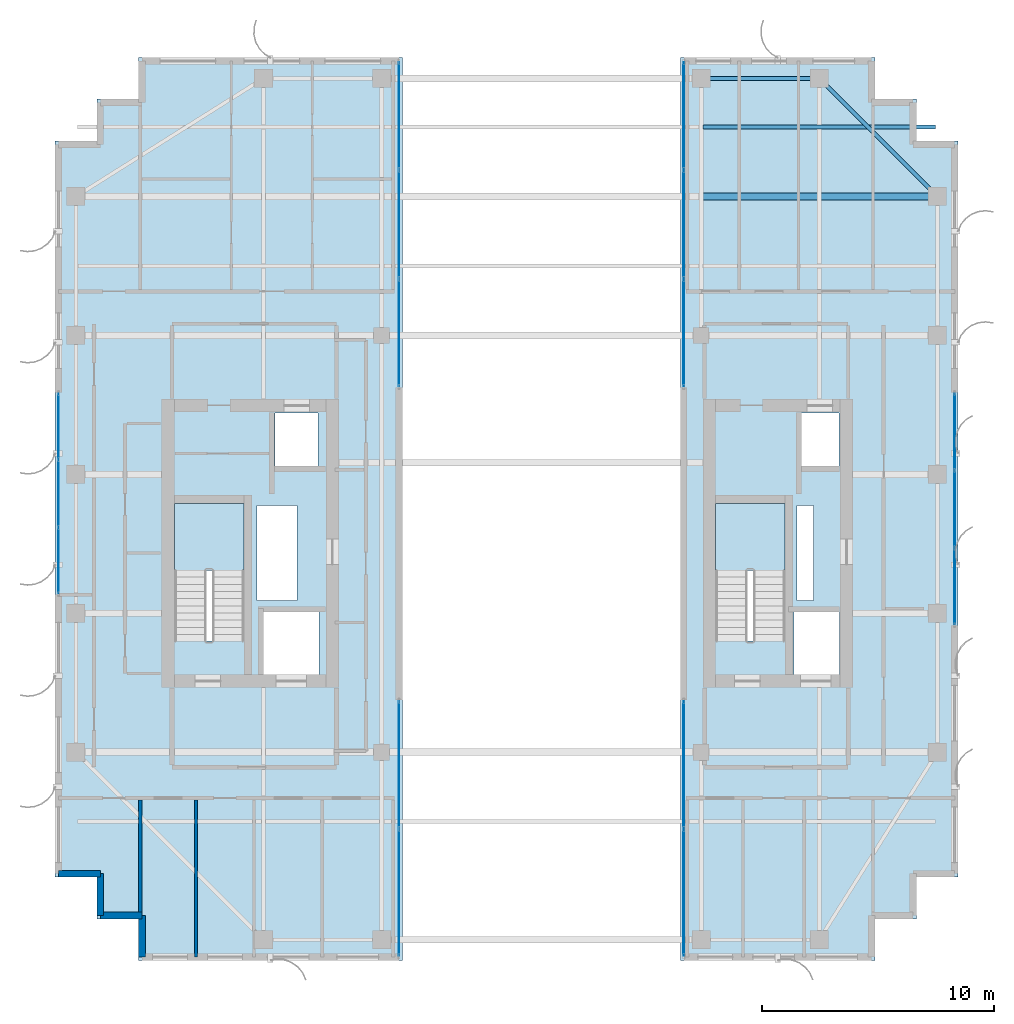
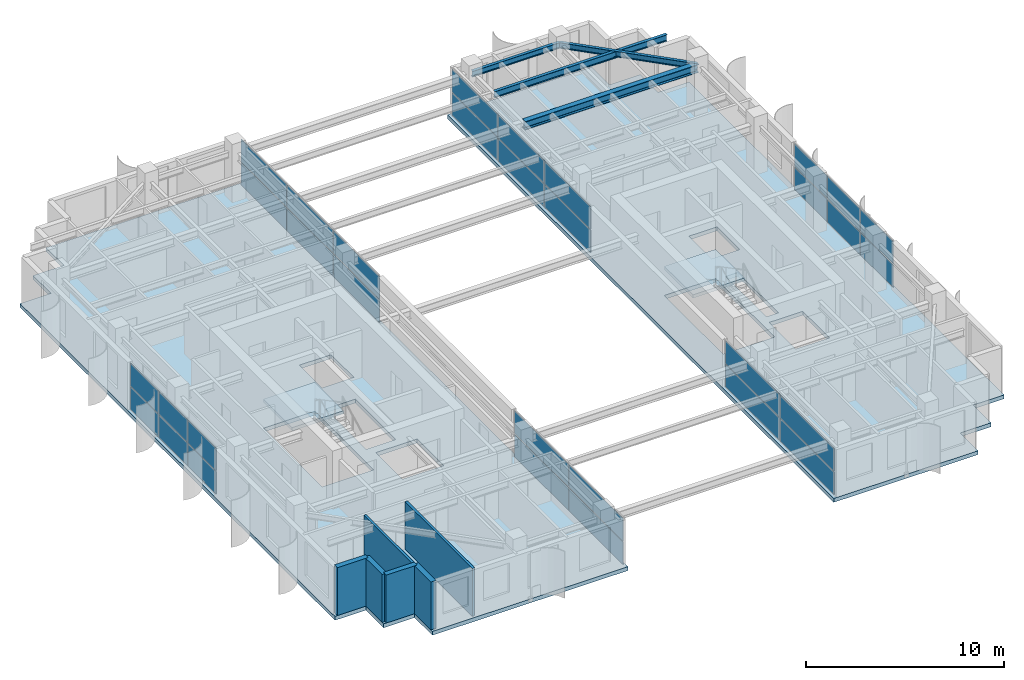
# One storey, part 18 of 25: 32 plates, 6 walls, 4 beams, 4 slabs, 8 elements without a shape of their own.
"""IFC4 building model written with IfcOpenShell, lengths in metres."""

from ifc_helpers import new_model, si_unit, direction, frame, frame_2d, origin, origin_2d, place, context, subcontext, project, spatial, polyline, rectangle, i_section, outline, extrude, source, transform, mapped, material, layer, layer_set, material_profile, profile_set, type_object, element, aggregate, save


model = new_model("IFC4")

# Units and contexts
model_context = context("Model", 3, precision=1e-05, world=origin(), true_north=direction((0.0, 1.0)))
body_context = subcontext(model_context, "Body", "Model", "MODEL_VIEW")
ifc_project = project(units=[si_unit("LENGTHUNIT", "METRE"), si_unit("AREAUNIT", "SQUARE_METRE"), si_unit("VOLUMEUNIT", "CUBIC_METRE"), si_unit("PLANEANGLEUNIT", "RADIAN"), si_unit("MASSUNIT", "GRAM", prefix="KILO")], contexts=[model_context])

# Site, building, storey
site_placement = place(None, origin())
site = spatial("IfcSite", under=ifc_project, at=site_placement, CompositionType="ELEMENT")
building_placement = place(site_placement, origin())
building = spatial("IfcBuilding", under=site, at=building_placement, Name="Khoralis Quay Care Tower", CompositionType="ELEMENT")
storey_placement = place(building_placement, frame((0.0, 0.0, 263.699951171875)))
storey = spatial("IfcBuildingStorey", under=building, at=storey_placement, Name="L69", CompositionType="ELEMENT", Elevation=263.699951171875)

# Beams
ifc_material_1 = material(Name="Steel S355", Category="steel")
ifc_material_profile_1 = material_profile(ifc_material_1, i_section(OverallWidth=0.169921875, OverallDepth=0.360107421875, WebThickness=0.008056640625, FlangeThickness=0.0126953125, FilletRadius=0.01806640625, at=origin_2d()), Name="Steel S355")
ifc_profile_set_1 = profile_set([ifc_material_profile_1], Name="Steel S355")
beam_type_1 = type_object("IfcBeamType", Name="BM-IPE360", PredefinedType="SPANDREL", material=ifc_profile_set_1)
shared_shape_1 = source(origin(), body_context, "Body", "SweptSolid", [
    extrude(i_section(OverallWidth=0.169921875, OverallDepth=0.360107421875, WebThickness=0.008056640625, FlangeThickness=0.0126953125, FilletRadius=0.01806640625, at=origin_2d()), origin(), (0.0, 0.0, 1.0), 5.10009765625),
])
beam_1_placement = place(storey_placement, frame((30.89990234375, 41.10009765625, 2.77001953125), z_axis=(1.0, 0.0, 0.0), x_axis=(0.0, 1.0, 0.0)))
element("IfcBeam", 1, at=beam_1_placement, inside=storey, type_object=beam_type_1, Name="BM-TSP-L69-06", PredefinedType="SPANDREL", context=body_context, shape_type="MappedRepresentation", body=[
    mapped(shared_shape_1, transform((0.0, 0.0, 0.0), scale=1.0)),
])
shared_shape_2 = source(origin(), body_context, "Body", "SweptSolid", [
    extrude(i_section(OverallWidth=0.169921875, OverallDepth=0.360107421875, WebThickness=0.008056640625, FlangeThickness=0.0126953125, FilletRadius=0.01806640625, at=origin_2d()), origin(), (0.0, 0.0, 1.0), 7.212646484375),
])
beam_2_placement = place(storey_placement, frame((36.0, 41.10009765625, 2.77001953125), z_axis=(0.707106781187, -0.707106781187, 0.0), x_axis=(0.707106781187, 0.707106781187, 0.0)))
element("IfcBeam", 2, at=beam_2_placement, inside=storey, type_object=beam_type_1, Name="BM-TCR-L69-18", PredefinedType="SPANDREL", context=body_context, shape_type="MappedRepresentation", body=[
    mapped(shared_shape_2, transform((0.0, 0.0, 0.0), scale=1.0)),
])
ifc_material_profile_2 = material_profile(ifc_material_1, i_section(OverallWidth=0.300048828125, OverallDepth=0.5, WebThickness=0.014404296875, FlangeThickness=0.028076171875, FilletRadius=0.027099609375, at=origin_2d()), Name="Steel S355")
ifc_profile_set_2 = profile_set([ifc_material_profile_2], Name="Steel S355")
beam_type_2 = type_object("IfcBeamType", Name="BM-HEB500", PredefinedType="BEAM", material=ifc_profile_set_2)
shared_shape_3 = source(origin(), body_context, "Body", "SweptSolid", [
    extrude(i_section(OverallWidth=0.300048828125, OverallDepth=0.5, WebThickness=0.014404296875, FlangeThickness=0.028076171875, FilletRadius=0.027099609375, at=origin_2d()), origin(), (0.0, 0.0, 1.0), 10.1162109375),
])
beam_3_placement = place(storey_placement, frame((30.98388671875, 36.0, 2.699951171875), z_axis=(1.0, 0.0, 0.0), x_axis=(0.0, 1.0, 0.0)))
element("IfcBeam", 3, at=beam_3_placement, inside=storey, type_object=beam_type_2, Name="BM-TGXE-L69-360", PredefinedType="BEAM", context=body_context, shape_type="MappedRepresentation", body=[
    mapped(shared_shape_3, transform((0.0, 0.0, 0.0), scale=1.0)),
])
ifc_material_profile_3 = material_profile(ifc_material_1, i_section(OverallWidth=0.177978515625, OverallDepth=0.406982421875, WebThickness=0.0078125, FlangeThickness=0.0126953125, FilletRadius=0.012939453125, at=origin_2d()), Name="Steel S355")
ifc_profile_set_3 = profile_set([ifc_material_profile_3], Name="Steel S355")
beam_type_3 = type_object("IfcBeamType", Name="BM-W410X60", PredefinedType="JOIST", material=ifc_profile_set_3)
shared_shape_4 = source(origin(), body_context, "Body", "SweptSolid", [
    extrude(i_section(OverallWidth=0.177978515625, OverallDepth=0.406982421875, WebThickness=0.0078125, FlangeThickness=0.0126953125, FilletRadius=0.012939453125, at=origin_2d()), origin(), (0.0, 0.0, 1.0), 10.045166015625),
])
beam_4_placement = place(storey_placement, frame((30.98388671875, 39.0, 2.74658203125), z_axis=(1.0, 0.0, 0.0), x_axis=(0.0, 1.0, 0.0)))
element("IfcBeam", 4, at=beam_4_placement, inside=storey, type_object=beam_type_3, Name="BM-TJS-L69-26", PredefinedType="JOIST", context=body_context, shape_type="MappedRepresentation", body=[
    mapped(shared_shape_4, transform((0.0, 0.0, 0.0), scale=1.0)),
])

# Stair, slab
ifc_material_2 = material(Name="Precast concrete C45/55", Category="concrete")
stair_type = type_object("IfcStairType", Name="ST-TWR-DOGLEG-1400", PredefinedType="HALF_TURN_STAIR", material=ifc_material_2)
stair_1_placement = place(storey_placement, origin())
stair_1 = element("IfcStair", 5, at=stair_1_placement, inside=storey, type_object=stair_type, Name="L69 West Core Exit Stair ST-T1", PredefinedType="HALF_TURN_STAIR")
ifc_layer_1 = layer(ifc_material_2, 0.199951171875)
ifc_layer_set_1 = layer_set([ifc_layer_1], Name="Precast concrete C45/55")
slab_type_1 = type_object("IfcSlabType", Name="SLB-LANDING-200", PredefinedType="LANDING", material=ifc_layer_set_1)
slab_1_placement = place(storey_placement, frame((0.0, 0.0, 1.60009765625)))
slab_1 = element("IfcSlab", 6, at=slab_1_placement, type_object=slab_type_1, Name="ST-T1 landing 1", PredefinedType="LANDING", context=body_context, shape_type="SweptSolid", body=[
    extrude(outline(polyline([(11.14990234375, 19.840087890625), (11.14990234375, 22.75), (8.14990234375, 22.75), (8.14990234375, 19.840087890625), (11.14990234375, 19.840087890625)])), origin(), (0.0, 0.0, 1.0), 0.199951171875),
])
aggregate(stair_1, [slab_1])

stair_2_placement = place(storey_placement, origin())
stair_2 = element("IfcStair", 7, at=stair_2_placement, inside=storey, type_object=stair_type, Name="L69 East Core Exit Stair ST-T2", PredefinedType="HALF_TURN_STAIR")
slab_2_placement = place(storey_placement, frame((0.0, 0.0, 1.60009765625)))
slab_2 = element("IfcSlab", 8, at=slab_2_placement, type_object=slab_type_1, Name="ST-T2 landing 1", PredefinedType="LANDING", context=body_context, shape_type="SweptSolid", body=[
    extrude(outline(polyline([(34.52001953125, 19.840087890625), (34.52001953125, 22.75), (31.52001953125, 22.75), (31.52001953125, 19.840087890625), (34.52001953125, 19.840087890625)])), origin(), (0.0, 0.0, 1.0), 0.199951171875),
])
aggregate(stair_2, [slab_2])

# Slabs
ifc_material_3 = material(Name="Concrete C40/50", Category="concrete")
ifc_layer_2 = layer(ifc_material_3, 0.239990234375)
ifc_layer_set_2 = layer_set([ifc_layer_2], Name="Concrete C40/50")
slab_type_2 = type_object("IfcSlabType", Name="SLB-TWR-240", PredefinedType="FLOOR", material=ifc_layer_set_2)
slab_3_placement = place(storey_placement, frame((0.0, 0.0, -0.239990234375)))
element("IfcSlab", 9, at=slab_3_placement, inside=storey, type_object=slab_type_2, Name="Tower Wing 1 Slab L69", PredefinedType="FLOOR", context=body_context, shape_type="SweptSolid", body=[
    extrude(outline(polyline([(6.60009765625, 3.0), (18.0, 3.0), (18.0, 42.0), (6.60009765625, 42.0), (6.60009765625, 40.199951171875), (4.800048828125, 40.199951171875), (4.800048828125, 38.39990234375), (3.0, 38.39990234375), (3.0, 6.60009765625), (4.800048828125, 6.60009765625), (4.800048828125, 4.800048828125), (6.60009765625, 4.800048828125), (6.60009765625, 3.0)]), holes=[polyline([(11.14990234375, 16.800048828125), (11.14990234375, 22.75), (8.14990234375, 22.75), (8.14990234375, 16.800048828125), (11.14990234375, 16.800048828125)]), polyline([(12.0, 15.35009765625), (14.39990234375, 15.35009765625), (14.39990234375, 18.050048828125), (12.0, 18.050048828125), (12.0, 15.35009765625)]), polyline([(12.5, 24.35009765625), (14.35009765625, 24.35009765625), (14.35009765625, 26.64990234375), (12.5, 26.64990234375), (12.5, 24.35009765625)]), polyline([(11.719970703125, 18.550048828125), (13.449951171875, 18.550048828125), (13.449951171875, 22.64990234375), (11.719970703125, 22.64990234375), (11.719970703125, 18.550048828125)])]), origin(), (0.0, 0.0, 1.0), 0.239990234375),
])
slab_4_placement = place(storey_placement, frame((0.0, 0.0, -0.239990234375)))
element("IfcSlab", 10, at=slab_4_placement, inside=storey, type_object=slab_type_2, Name="Tower Wing 2 Slab L69", PredefinedType="FLOOR", context=body_context, shape_type="SweptSolid", body=[
    extrude(outline(polyline([(30.0, 3.0), (38.39990234375, 3.0), (38.39990234375, 4.800048828125), (40.199951171875, 4.800048828125), (40.199951171875, 6.60009765625), (42.0, 6.60009765625), (42.0, 38.39990234375), (40.199951171875, 38.39990234375), (40.199951171875, 40.199951171875), (38.39990234375, 40.199951171875), (38.39990234375, 42.0), (30.0, 42.0), (30.0, 3.0)]), holes=[polyline([(34.52001953125, 16.800048828125), (34.52001953125, 22.75), (31.52001953125, 22.75), (31.52001953125, 16.800048828125), (34.52001953125, 16.800048828125)]), polyline([(34.919921875, 15.35009765625), (36.8798828125, 15.35009765625), (36.8798828125, 18.050048828125), (34.919921875, 18.050048828125), (34.919921875, 15.35009765625)]), polyline([(35.199951171875, 24.35009765625), (36.85009765625, 24.35009765625), (36.85009765625, 26.64990234375), (35.199951171875, 26.64990234375), (35.199951171875, 24.35009765625)]), polyline([(35.050048828125, 18.550048828125), (35.75, 18.550048828125), (35.75, 22.64990234375), (35.050048828125, 22.64990234375), (35.050048828125, 18.550048828125)])]), origin(), (0.0, 0.0, 1.0), 0.239990234375),
])

# Curtain wall, plates
ifc_material_4 = material(Name="Pale anodised aluminium", Category="aluminium")
ifc_layer_3 = layer(ifc_material_4, 0.18994140625)
ifc_layer_set_3 = layer_set([ifc_layer_3], Name="Pale anodised aluminium")
curtain_wall_type_1 = type_object("IfcCurtainWallType", Name="CW-SYS-PORTAL", PredefinedType="NOTDEFINED", material=ifc_layer_set_3)
curtain_wall_1_placement = place(storey_placement, origin())
curtain_wall_1 = element("IfcCurtainWall", 11, at=curtain_wall_1_placement, inside=storey, type_object=curtain_wall_type_1, Name="L69 Unitised Curtain Wall CW-VP-L69-P1-N", PredefinedType="NOTDEFINED")
ifc_material_5 = material(Name="Low-E solar-control double glazing", Category="glass")
ifc_layer_4 = layer(ifc_material_5, 0.031982421875)
ifc_layer_set_4 = layer_set([ifc_layer_4], Name="Low-E solar-control double glazing")
plate_type = type_object("IfcPlateType", Name="PNL-VIS-32", PredefinedType="CURTAIN_PANEL", material=ifc_layer_set_4)
shared_shape_5 = source(origin(), body_context, "Body", "SweptSolid", [
    extrude(rectangle(XDim=4.610107421875, YDim=0.028076171875, at=origin_2d()), origin(), (0.0, 0.0, 1.0), 1.385009765625),
])
plate_1_placement = place(storey_placement, frame((17.85009765625, 30.114990234375, 0.06005859375), z_axis=(0.0, 0.0, 1.0), x_axis=(0.0, 1.0, 0.0)))
plate_1 = element("IfcPlate", 12, at=plate_1_placement, type_object=plate_type, Name="CW4 panel 1.1", PredefinedType="CURTAIN_PANEL", context=body_context, shape_type="MappedRepresentation", body=[
    mapped(shared_shape_5, transform((0.0, 0.0, 0.0), scale=1.0)),
])
plate_2_placement = place(storey_placement, frame((17.85009765625, 30.114990234375, 1.5048828125), z_axis=(0.0, 0.0, 1.0), x_axis=(0.0, 1.0, 0.0)))
plate_2 = element("IfcPlate", 13, at=plate_2_placement, type_object=plate_type, Name="CW4 panel 1.2", PredefinedType="CURTAIN_PANEL", context=body_context, shape_type="MappedRepresentation", body=[
    mapped(shared_shape_5, transform((0.0, 0.0, 0.0), scale=1.0)),
])
plate_3_placement = place(storey_placement, frame((17.85009765625, 39.485107421875, 0.06005859375), z_axis=(0.0, 0.0, 1.0), x_axis=(0.0, 1.0, 0.0)))
plate_3 = element("IfcPlate", 14, at=plate_3_placement, type_object=plate_type, Name="CW4 panel 3.1", PredefinedType="CURTAIN_PANEL", context=body_context, shape_type="MappedRepresentation", body=[
    mapped(shared_shape_5, transform((0.0, 0.0, 0.0), scale=1.0)),
])
plate_4_placement = place(storey_placement, frame((17.85009765625, 39.485107421875, 1.5048828125), z_axis=(0.0, 0.0, 1.0), x_axis=(0.0, 1.0, 0.0)))
plate_4 = element("IfcPlate", 15, at=plate_4_placement, type_object=plate_type, Name="CW4 panel 3.2", PredefinedType="CURTAIN_PANEL", context=body_context, shape_type="MappedRepresentation", body=[
    mapped(shared_shape_5, transform((0.0, 0.0, 0.0), scale=1.0)),
])

curtain_wall_2_placement = place(storey_placement, origin())
curtain_wall_2 = element("IfcCurtainWall", 16, at=curtain_wall_2_placement, inside=storey, type_object=curtain_wall_type_1, Name="L69 Unitised Curtain Wall CW-VP-L69-P2-N", PredefinedType="NOTDEFINED")
plate_5_placement = place(storey_placement, frame((30.14990234375, 30.114990234375, 0.06005859375), z_axis=(0.0, 0.0, 1.0), x_axis=(0.0, 1.0, 0.0)))
plate_5 = element("IfcPlate", 17, at=plate_5_placement, type_object=plate_type, Name="CW4 panel 1.1", PredefinedType="CURTAIN_PANEL", context=body_context, shape_type="MappedRepresentation", body=[
    mapped(shared_shape_5, transform((0.0, 0.0, 0.0), scale=1.0)),
])
plate_6_placement = place(storey_placement, frame((30.14990234375, 30.114990234375, 1.5048828125), z_axis=(0.0, 0.0, 1.0), x_axis=(0.0, 1.0, 0.0)))
plate_6 = element("IfcPlate", 18, at=plate_6_placement, type_object=plate_type, Name="CW4 panel 1.2", PredefinedType="CURTAIN_PANEL", context=body_context, shape_type="MappedRepresentation", body=[
    mapped(shared_shape_5, transform((0.0, 0.0, 0.0), scale=1.0)),
])
plate_7_placement = place(storey_placement, frame((30.14990234375, 39.485107421875, 0.06005859375), z_axis=(0.0, 0.0, 1.0), x_axis=(0.0, 1.0, 0.0)))
plate_7 = element("IfcPlate", 19, at=plate_7_placement, type_object=plate_type, Name="CW4 panel 3.1", PredefinedType="CURTAIN_PANEL", context=body_context, shape_type="MappedRepresentation", body=[
    mapped(shared_shape_5, transform((0.0, 0.0, 0.0), scale=1.0)),
])
plate_8_placement = place(storey_placement, frame((30.14990234375, 39.485107421875, 1.5048828125), z_axis=(0.0, 0.0, 1.0), x_axis=(0.0, 1.0, 0.0)))
plate_8 = element("IfcPlate", 20, at=plate_8_placement, type_object=plate_type, Name="CW4 panel 3.2", PredefinedType="CURTAIN_PANEL", context=body_context, shape_type="MappedRepresentation", body=[
    mapped(shared_shape_5, transform((0.0, 0.0, 0.0), scale=1.0)),
])

# Plate
shared_shape_6 = source(origin(), body_context, "Body", "SweptSolid", [
    extrude(rectangle(XDim=4.639892578125, YDim=0.028076171875, at=origin_2d()), origin(), (0.0, 0.0, 1.0), 1.385009765625),
])
plate_9_placement = place(storey_placement, frame((17.85009765625, 34.800048828125, 0.06005859375), z_axis=(0.0, 0.0, 1.0), x_axis=(0.0, 1.0, 0.0)))
plate_9 = element("IfcPlate", 21, at=plate_9_placement, type_object=plate_type, Name="CW4 panel 2.1", PredefinedType="CURTAIN_PANEL", context=body_context, shape_type="MappedRepresentation", body=[
    mapped(shared_shape_6, transform((0.0, 0.0, 0.0), scale=1.0)),
])

plate_10_placement = place(storey_placement, frame((17.85009765625, 34.800048828125, 1.5048828125), z_axis=(0.0, 0.0, 1.0), x_axis=(0.0, 1.0, 0.0)))
plate_10 = element("IfcPlate", 22, at=plate_10_placement, type_object=plate_type, Name="CW4 panel 2.2", PredefinedType="CURTAIN_PANEL", context=body_context, shape_type="MappedRepresentation", body=[
    mapped(shared_shape_6, transform((0.0, 0.0, 0.0), scale=1.0)),
])

aggregate(curtain_wall_1, [plate_1, plate_2, plate_9, plate_10, plate_3, plate_4])

plate_11_placement = place(storey_placement, frame((30.14990234375, 34.800048828125, 0.06005859375), z_axis=(0.0, 0.0, 1.0), x_axis=(0.0, 1.0, 0.0)))
plate_11 = element("IfcPlate", 23, at=plate_11_placement, type_object=plate_type, Name="CW4 panel 2.1", PredefinedType="CURTAIN_PANEL", context=body_context, shape_type="MappedRepresentation", body=[
    mapped(shared_shape_6, transform((0.0, 0.0, 0.0), scale=1.0)),
])

plate_12_placement = place(storey_placement, frame((30.14990234375, 34.800048828125, 1.5048828125), z_axis=(0.0, 0.0, 1.0), x_axis=(0.0, 1.0, 0.0)))
plate_12 = element("IfcPlate", 24, at=plate_12_placement, type_object=plate_type, Name="CW4 panel 2.2", PredefinedType="CURTAIN_PANEL", context=body_context, shape_type="MappedRepresentation", body=[
    mapped(shared_shape_6, transform((0.0, 0.0, 0.0), scale=1.0)),
])

aggregate(curtain_wall_2, [plate_5, plate_6, plate_11, plate_12, plate_7, plate_8])

# Curtain wall, plates
curtain_wall_3_placement = place(storey_placement, origin())
curtain_wall_3 = element("IfcCurtainWall", 25, at=curtain_wall_3_placement, inside=storey, type_object=curtain_wall_type_1, Name="L69 Unitised Curtain Wall CW-VP-L69-P1-S", PredefinedType="NOTDEFINED")
shared_shape_7 = source(origin(), body_context, "Body", "SweptSolid", [
    extrude(rectangle(XDim=5.4599609375, YDim=0.028076171875, at=origin_2d()), origin(), (0.0, 0.0, 1.0), 1.385009765625),
])
plate_13_placement = place(storey_placement, frame((17.85009765625, 5.93994140625, 0.06005859375), z_axis=(0.0, 0.0, 1.0), x_axis=(0.0, 1.0, 0.0)))
plate_13 = element("IfcPlate", 26, at=plate_13_placement, type_object=plate_type, Name="CW4 panel 1.1", PredefinedType="CURTAIN_PANEL", context=body_context, shape_type="MappedRepresentation", body=[
    mapped(shared_shape_7, transform((0.0, 0.0, 0.0), scale=1.0)),
])
plate_14_placement = place(storey_placement, frame((17.85009765625, 5.93994140625, 1.5048828125), z_axis=(0.0, 0.0, 1.0), x_axis=(0.0, 1.0, 0.0)))
plate_14 = element("IfcPlate", 27, at=plate_14_placement, type_object=plate_type, Name="CW4 panel 1.2", PredefinedType="CURTAIN_PANEL", context=body_context, shape_type="MappedRepresentation", body=[
    mapped(shared_shape_7, transform((0.0, 0.0, 0.0), scale=1.0)),
])
plate_15_placement = place(storey_placement, frame((17.85009765625, 11.4599609375, 0.06005859375), z_axis=(0.0, 0.0, 1.0), x_axis=(0.0, 1.0, 0.0)))
plate_15 = element("IfcPlate", 28, at=plate_15_placement, type_object=plate_type, Name="CW4 panel 2.1", PredefinedType="CURTAIN_PANEL", context=body_context, shape_type="MappedRepresentation", body=[
    mapped(shared_shape_7, transform((0.0, 0.0, 0.0), scale=1.0)),
])
plate_16_placement = place(storey_placement, frame((17.85009765625, 11.4599609375, 1.5048828125), z_axis=(0.0, 0.0, 1.0), x_axis=(0.0, 1.0, 0.0)))
plate_16 = element("IfcPlate", 29, at=plate_16_placement, type_object=plate_type, Name="CW4 panel 2.2", PredefinedType="CURTAIN_PANEL", context=body_context, shape_type="MappedRepresentation", body=[
    mapped(shared_shape_7, transform((0.0, 0.0, 0.0), scale=1.0)),
])
aggregate(curtain_wall_3, [plate_13, plate_14, plate_15, plate_16])

curtain_wall_4_placement = place(storey_placement, origin())
curtain_wall_4 = element("IfcCurtainWall", 30, at=curtain_wall_4_placement, inside=storey, type_object=curtain_wall_type_1, Name="L69 Unitised Curtain Wall CW-VP-L69-P2-S", PredefinedType="NOTDEFINED")
plate_17_placement = place(storey_placement, frame((30.14990234375, 5.93994140625, 0.06005859375), z_axis=(0.0, 0.0, 1.0), x_axis=(0.0, 1.0, 0.0)))
plate_17 = element("IfcPlate", 31, at=plate_17_placement, type_object=plate_type, Name="CW4 panel 1.1", PredefinedType="CURTAIN_PANEL", context=body_context, shape_type="MappedRepresentation", body=[
    mapped(shared_shape_7, transform((0.0, 0.0, 0.0), scale=1.0)),
])
plate_18_placement = place(storey_placement, frame((30.14990234375, 5.93994140625, 1.5048828125), z_axis=(0.0, 0.0, 1.0), x_axis=(0.0, 1.0, 0.0)))
plate_18 = element("IfcPlate", 32, at=plate_18_placement, type_object=plate_type, Name="CW4 panel 1.2", PredefinedType="CURTAIN_PANEL", context=body_context, shape_type="MappedRepresentation", body=[
    mapped(shared_shape_7, transform((0.0, 0.0, 0.0), scale=1.0)),
])
plate_19_placement = place(storey_placement, frame((30.14990234375, 11.4599609375, 0.06005859375), z_axis=(0.0, 0.0, 1.0), x_axis=(0.0, 1.0, 0.0)))
plate_19 = element("IfcPlate", 33, at=plate_19_placement, type_object=plate_type, Name="CW4 panel 2.1", PredefinedType="CURTAIN_PANEL", context=body_context, shape_type="MappedRepresentation", body=[
    mapped(shared_shape_7, transform((0.0, 0.0, 0.0), scale=1.0)),
])
plate_20_placement = place(storey_placement, frame((30.14990234375, 11.4599609375, 1.5048828125), z_axis=(0.0, 0.0, 1.0), x_axis=(0.0, 1.0, 0.0)))
plate_20 = element("IfcPlate", 34, at=plate_20_placement, type_object=plate_type, Name="CW4 panel 2.2", PredefinedType="CURTAIN_PANEL", context=body_context, shape_type="MappedRepresentation", body=[
    mapped(shared_shape_7, transform((0.0, 0.0, 0.0), scale=1.0)),
])
aggregate(curtain_wall_4, [plate_17, plate_18, plate_19, plate_20])

ifc_layer_5 = layer(ifc_material_4, 0.159912109375)
ifc_layer_set_5 = layer_set([ifc_layer_5], Name="Pale anodised aluminium")
curtain_wall_type_2 = type_object("IfcCurtainWallType", Name="CW-SYS-Z3", PredefinedType="NOTDEFINED", material=ifc_layer_set_5)
curtain_wall_5_placement = place(storey_placement, origin())
curtain_wall_5 = element("IfcCurtainWall", 35, at=curtain_wall_5_placement, inside=storey, type_object=curtain_wall_type_2, Name="L69 Unitised Curtain Wall CW-L69-P1-E7", PredefinedType="NOTDEFINED")
shared_shape_8 = source(origin(), body_context, "Body", "SweptSolid", [
    extrude(rectangle(XDim=2.8232421875, YDim=0.028076171875, at=origin_2d()), origin(), (0.0, 0.0, 1.0), 1.385009765625),
])
plate_21_placement = place(storey_placement, frame((3.14990234375, 26.068359375, 0.06005859375), z_axis=(0.0, 0.0, 1.0), x_axis=(0.0, -1.0, 0.0)))
plate_21 = element("IfcPlate", 36, at=plate_21_placement, type_object=plate_type, Name="CW3 panel 1.1", PredefinedType="CURTAIN_PANEL", context=body_context, shape_type="MappedRepresentation", body=[
    mapped(shared_shape_8, transform((0.0, 0.0, 0.0), scale=1.0)),
])
plate_22_placement = place(storey_placement, frame((3.14990234375, 26.068359375, 1.5048828125), z_axis=(0.0, 0.0, 1.0), x_axis=(0.0, -1.0, 0.0)))
plate_22 = element("IfcPlate", 37, at=plate_22_placement, type_object=plate_type, Name="CW3 panel 1.2", PredefinedType="CURTAIN_PANEL", context=body_context, shape_type="MappedRepresentation", body=[
    mapped(shared_shape_8, transform((0.0, 0.0, 0.0), scale=1.0)),
])
plate_23_placement = place(storey_placement, frame((3.14990234375, 20.271728515625, 0.06005859375), z_axis=(0.0, 0.0, 1.0), x_axis=(0.0, -1.0, 0.0)))
plate_23 = element("IfcPlate", 38, at=plate_23_placement, type_object=plate_type, Name="CW3 panel 3.1", PredefinedType="CURTAIN_PANEL", context=body_context, shape_type="MappedRepresentation", body=[
    mapped(shared_shape_8, transform((0.0, 0.0, 0.0), scale=1.0)),
])
plate_24_placement = place(storey_placement, frame((3.14990234375, 20.271728515625, 1.5048828125), z_axis=(0.0, 0.0, 1.0), x_axis=(0.0, -1.0, 0.0)))
plate_24 = element("IfcPlate", 39, at=plate_24_placement, type_object=plate_type, Name="CW3 panel 3.2", PredefinedType="CURTAIN_PANEL", context=body_context, shape_type="MappedRepresentation", body=[
    mapped(shared_shape_8, transform((0.0, 0.0, 0.0), scale=1.0)),
])
shared_shape_9 = source(origin(), body_context, "Body", "SweptSolid", [
    extrude(rectangle(XDim=2.853271484375, YDim=0.028076171875, at=origin_2d()), origin(), (0.0, 0.0, 1.0), 1.385009765625),
])
plate_25_placement = place(storey_placement, frame((3.14990234375, 23.169921875, 0.06005859375), z_axis=(0.0, 0.0, 1.0), x_axis=(0.0, -1.0, 0.0)))
plate_25 = element("IfcPlate", 40, at=plate_25_placement, type_object=plate_type, Name="CW3 panel 2.1", PredefinedType="CURTAIN_PANEL", context=body_context, shape_type="MappedRepresentation", body=[
    mapped(shared_shape_9, transform((0.0, 0.0, 0.0), scale=1.0)),
])
plate_26_placement = place(storey_placement, frame((3.14990234375, 23.169921875, 1.5048828125), z_axis=(0.0, 0.0, 1.0), x_axis=(0.0, -1.0, 0.0)))
plate_26 = element("IfcPlate", 41, at=plate_26_placement, type_object=plate_type, Name="CW3 panel 2.2", PredefinedType="CURTAIN_PANEL", context=body_context, shape_type="MappedRepresentation", body=[
    mapped(shared_shape_9, transform((0.0, 0.0, 0.0), scale=1.0)),
])
aggregate(curtain_wall_5, [plate_21, plate_22, plate_25, plate_26, plate_23, plate_24])

curtain_wall_6_placement = place(storey_placement, origin())
curtain_wall_6 = element("IfcCurtainWall", 42, at=curtain_wall_6_placement, inside=storey, type_object=curtain_wall_type_2, Name="L69 Unitised Curtain Wall CW-L69-P2-E5", PredefinedType="NOTDEFINED")
shared_shape_10 = source(origin(), body_context, "Body", "SweptSolid", [
    extrude(rectangle(XDim=3.27001953125, YDim=0.028076171875, at=origin_2d()), origin(), (0.0, 0.0, 1.0), 1.385009765625),
])
plate_27_placement = place(storey_placement, frame((41.85009765625, 19.155029296875, 0.06005859375), z_axis=(0.0, 0.0, 1.0), x_axis=(0.0, 1.0, 0.0)))
plate_27 = element("IfcPlate", 43, at=plate_27_placement, type_object=plate_type, Name="CW3 panel 1.1", PredefinedType="CURTAIN_PANEL", context=body_context, shape_type="MappedRepresentation", body=[
    mapped(shared_shape_10, transform((0.0, 0.0, 0.0), scale=1.0)),
])
plate_28_placement = place(storey_placement, frame((41.85009765625, 19.155029296875, 1.5048828125), z_axis=(0.0, 0.0, 1.0), x_axis=(0.0, 1.0, 0.0)))
plate_28 = element("IfcPlate", 44, at=plate_28_placement, type_object=plate_type, Name="CW3 panel 1.2", PredefinedType="CURTAIN_PANEL", context=body_context, shape_type="MappedRepresentation", body=[
    mapped(shared_shape_10, transform((0.0, 0.0, 0.0), scale=1.0)),
])
plate_29_placement = place(storey_placement, frame((41.85009765625, 25.844970703125, 0.06005859375), z_axis=(0.0, 0.0, 1.0), x_axis=(0.0, 1.0, 0.0)))
plate_29 = element("IfcPlate", 45, at=plate_29_placement, type_object=plate_type, Name="CW3 panel 3.1", PredefinedType="CURTAIN_PANEL", context=body_context, shape_type="MappedRepresentation", body=[
    mapped(shared_shape_10, transform((0.0, 0.0, 0.0), scale=1.0)),
])
plate_30_placement = place(storey_placement, frame((41.85009765625, 25.844970703125, 1.5048828125), z_axis=(0.0, 0.0, 1.0), x_axis=(0.0, 1.0, 0.0)))
plate_30 = element("IfcPlate", 46, at=plate_30_placement, type_object=plate_type, Name="CW3 panel 3.2", PredefinedType="CURTAIN_PANEL", context=body_context, shape_type="MappedRepresentation", body=[
    mapped(shared_shape_10, transform((0.0, 0.0, 0.0), scale=1.0)),
])
shared_shape_11 = source(origin(), body_context, "Body", "SweptSolid", [
    extrude(rectangle(XDim=3.300048828125, YDim=0.028076171875, at=origin_2d()), origin(), (0.0, 0.0, 1.0), 1.385009765625),
])
plate_31_placement = place(storey_placement, frame((41.85009765625, 22.5, 0.06005859375), z_axis=(0.0, 0.0, 1.0), x_axis=(0.0, 1.0, 0.0)))
plate_31 = element("IfcPlate", 47, at=plate_31_placement, type_object=plate_type, Name="CW3 panel 2.1", PredefinedType="CURTAIN_PANEL", context=body_context, shape_type="MappedRepresentation", body=[
    mapped(shared_shape_11, transform((0.0, 0.0, 0.0), scale=1.0)),
])
plate_32_placement = place(storey_placement, frame((41.85009765625, 22.5, 1.5048828125), z_axis=(0.0, 0.0, 1.0), x_axis=(0.0, 1.0, 0.0)))
plate_32 = element("IfcPlate", 48, at=plate_32_placement, type_object=plate_type, Name="CW3 panel 2.2", PredefinedType="CURTAIN_PANEL", context=body_context, shape_type="MappedRepresentation", body=[
    mapped(shared_shape_11, transform((0.0, 0.0, 0.0), scale=1.0)),
])
aggregate(curtain_wall_6, [plate_27, plate_28, plate_31, plate_32, plate_29, plate_30])

# Walls
ifc_layer_6 = layer(ifc_material_2, 0.300048828125)
ifc_layer_set_6 = layer_set([ifc_layer_6], Name="Precast concrete C45/55")
wall_type_1 = type_object("IfcWallType", Name="WL-EXT-REF-300", PredefinedType="SOLIDWALL", material=ifc_layer_set_6)
for number, where, z_axis, x_axis, name in (
    (49, (3.14990234375, 6.75, 0.0), (0.0, 0.0, 1.0), (1.0, 0.0, 0.0), "L69 External Facade Wall WL-EXT-L69-P1-C8"),
    (50, (4.949951171875, 6.75, 0.0), (0.0, 0.0, 1.0), (0.0, -1.0, 0.0), "L69 External Facade Wall WL-EXT-L69-P1-C9"),
    (51, (4.949951171875, 4.949951171875, 0.0), (0.0, 0.0, 1.0), (1.0, 0.0, 0.0), "L69 External Facade Wall WL-EXT-L69-P1-C10"),
    (52, (6.75, 4.949951171875, 0.0), (0.0, 0.0, 1.0), (0.0, -1.0, 0.0), "L69 External Facade Wall WL-EXT-L69-P1-C11"),
):
    element("IfcWall", number, at=place(storey_placement, frame(where, z_axis=z_axis, x_axis=x_axis)), inside=storey, type_object=wall_type_1, Name=name, PredefinedType="SOLIDWALL", context=body_context, shape_type="SweptSolid", body=[
        extrude(rectangle(XDim=1.800048828125, YDim=0.300048828125, at=frame_2d((0.89990234375, 0.0))), origin(), (0.0, 0.0, 1.0), 2.949951171875),
    ])
ifc_material_6 = material(Name="Gypsum plasterboard on acoustic metal stud")
ifc_layer_7 = layer(ifc_material_6, 0.139892578125)
ifc_layer_set_7 = layer_set([ifc_layer_7], Name="Gypsum plasterboard on acoustic metal stud")
wall_type_2 = type_object("IfcWallType", Name="WL-UNIT-140", PredefinedType="PARTITIONING", material=ifc_layer_set_7)
wall_1_placement = place(storey_placement, frame((6.679931640625, 4.945068359375, 0.0), z_axis=(0.0, 0.0, 1.0), x_axis=(0.0, 1.0, 0.0)))
element("IfcWall", 53, at=wall_1_placement, inside=storey, type_object=wall_type_2, Name="L69 WS Demising Wall 0", PredefinedType="PARTITIONING", context=body_context, shape_type="SweptSolid", body=[
    extrude(rectangle(XDim=4.997314453125, YDim=0.139892578125, at=frame_2d((2.49853515625, 0.0))), origin(), (0.0, 0.0, 1.0), 2.949951171875),
])
wall_2_placement = place(storey_placement, frame((9.080078125, 3.14501953125, 0.0), z_axis=(0.0, 0.0, 1.0), x_axis=(0.0, 1.0, 0.0)))
element("IfcWall", 54, at=wall_2_placement, inside=storey, type_object=wall_type_2, Name="L69 WS Demising Wall 1", PredefinedType="PARTITIONING", context=body_context, shape_type="SweptSolid", body=[
    extrude(rectangle(XDim=6.79736328125, YDim=0.139892578125, at=frame_2d((3.398681640625, 0.0))), origin(), (0.0, 0.0, 1.0), 2.949951171875),
])

save(model, "model.ifc")
